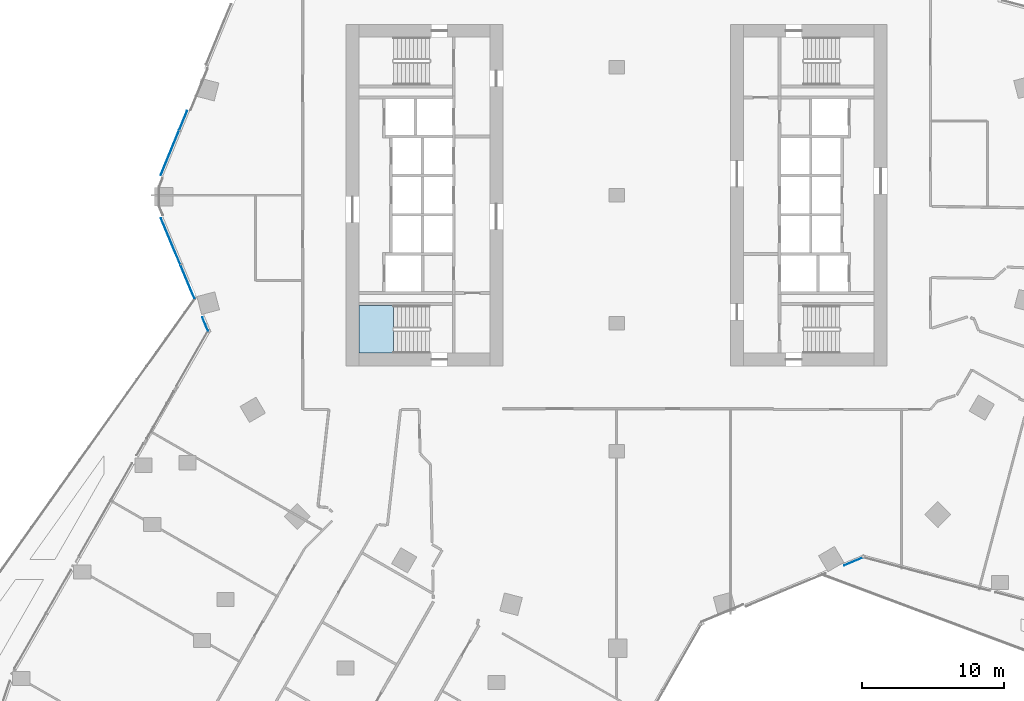
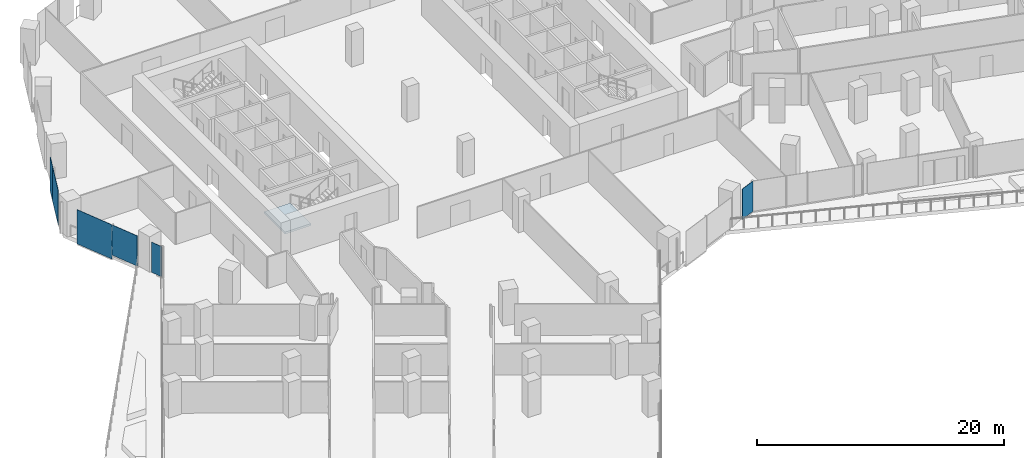
# One storey, part 19 of 34: 6 plates, 1 slab, 4 elements without a shape of their own.
"""IFC4 building model written with IfcOpenShell, lengths in metres."""

from ifc_helpers import new_model, si_unit, direction, frame, origin, origin_2d, place, context, subcontext, project, spatial, polyline, rectangle, outline, extrude, material, layer, layer_set, type_object, element, aggregate, save


model = new_model("IFC4")

# Units and contexts
model_context = context("Model", 3, precision=1e-05, world=origin(), true_north=direction((0.0, 1.0)))
body_context = subcontext(model_context, "Body", "Model", "MODEL_VIEW")
ifc_project = project(units=[si_unit("LENGTHUNIT", "METRE"), si_unit("AREAUNIT", "SQUARE_METRE"), si_unit("VOLUMEUNIT", "CUBIC_METRE"), si_unit("PLANEANGLEUNIT", "RADIAN"), si_unit("MASSUNIT", "GRAM", prefix="KILO")], contexts=[model_context])

# Site, building, storey
site_placement = place(None, origin())
site = spatial("IfcSite", under=ifc_project, at=site_placement, CompositionType="ELEMENT")
building_placement = place(site_placement, origin())
building = spatial("IfcBuilding", under=site, at=building_placement, Name="Orlundy Tower", CompositionType="ELEMENT")
storey_placement = place(building_placement, frame((0.0, 0.0, 102.199951171875)))
storey = spatial("IfcBuildingStorey", under=building, at=storey_placement, Name="L25", CompositionType="ELEMENT", Elevation=102.199951171875)

# Curtain wall, plate
ifc_material_1 = material(Name="Aluminium bronze anodised", Category="aluminium")
curtain_wall_type = type_object("IfcCurtainWallType", Name="CW1 wall", PredefinedType="NOTDEFINED", material=ifc_material_1)
curtain_wall_1_placement = place(storey_placement, origin())
curtain_wall_1 = element("IfcCurtainWall", 1, at=curtain_wall_1_placement, inside=storey, type_object=curtain_wall_type, Name="CW1 run 01", PredefinedType="NOTDEFINED")
ifc_material_2 = material(Name="Tinted glass", Category="glass")
ifc_layer_1 = layer(ifc_material_2, 0.031982421875)
ifc_layer_set_1 = layer_set([ifc_layer_1], Name="CW1 glass panel 32")
plate_type = type_object("IfcPlateType", Name="CW1 glass panel 32", PredefinedType="CURTAIN_PANEL", material=ifc_layer_set_1)
plate_1_placement = place(storey_placement, frame((16.6669921875, -25.728271484375, 0.1201171875), z_axis=(0.0, 0.0, 1.0), x_axis=(-0.922759105019, -0.385377262048, 0.0)))
plate_1 = element("IfcPlate", 2, at=plate_1_placement, type_object=plate_type, Name="CW1 panel", PredefinedType="CURTAIN_PANEL", context=body_context, shape_type="SweptSolid", body=[
    extrude(rectangle(XDim=1.445068359375, YDim=0.031982421875, at=origin_2d()), origin(), (0.0, 0.0, 1.0), 2.97998046875),
])
aggregate(curtain_wall_1, [plate_1])

# Curtain wall, plates
curtain_wall_2_placement = place(storey_placement, origin())
curtain_wall_2 = element("IfcCurtainWall", 3, at=curtain_wall_2_placement, inside=storey, type_object=curtain_wall_type, Name="CW1 run 013", PredefinedType="NOTDEFINED")
plate_2_placement = place(storey_placement, frame((-28.9091796875, -9.05126953125, 0.1201171875), z_axis=(0.0, 0.0, 1.0), x_axis=(-0.385343522299, 0.922773195223, 0.0)))
plate_2 = element("IfcPlate", 4, at=plate_2_placement, type_object=plate_type, Name="CW1 panel", PredefinedType="CURTAIN_PANEL", context=body_context, shape_type="SweptSolid", body=[
    extrude(rectangle(XDim=1.036865234375, YDim=0.031982421875, at=origin_2d()), origin(), (0.0, 0.0, 1.0), 2.97998046875),
])
plate_3_placement = place(storey_placement, frame((-30.1513671875, -6.07666015625, 0.1201171875), z_axis=(0.0, 0.0, 1.0), x_axis=(-0.385343522299, 0.922773195223, 0.0)))
plate_3 = element("IfcPlate", 5, at=plate_3_placement, type_object=plate_type, Name="CW1 panel", PredefinedType="CURTAIN_PANEL", context=body_context, shape_type="SweptSolid", body=[
    extrude(rectangle(XDim=2.542236328125, YDim=0.031982421875, at=origin_2d()), origin(), (0.0, 0.0, 1.0), 2.97998046875),
])
plate_4_placement = place(storey_placement, frame((-31.3388671875, -3.233154296875, -0.27978515625), z_axis=(0.0, 0.0, 1.0), x_axis=(-0.385343522299, 0.922773195223, 0.0)))
plate_4 = element("IfcPlate", 6, at=plate_4_placement, type_object=plate_type, Name="CW1 panel", PredefinedType="CURTAIN_PANEL", context=body_context, shape_type="SweptSolid", body=[
    extrude(rectangle(XDim=3.52099609375, YDim=0.031982421875, at=origin_2d()), origin(), (0.0, 0.0, 1.0), 3.3798828125),
])
aggregate(curtain_wall_2, [plate_2, plate_3, plate_4])

curtain_wall_3_placement = place(storey_placement, origin())
curtain_wall_3 = element("IfcCurtainWall", 7, at=curtain_wall_3_placement, inside=storey, type_object=curtain_wall_type, Name="CW1 run 014", PredefinedType="NOTDEFINED")
plate_5_placement = place(storey_placement, frame((-31.38525390625, 2.982666015625, -0.27978515625), z_axis=(0.0, 0.0, 1.0), x_axis=(0.380004927003, 0.924984462277, 0.0)))
plate_5 = element("IfcPlate", 8, at=plate_5_placement, type_object=plate_type, Name="CW1 panel", PredefinedType="CURTAIN_PANEL", context=body_context, shape_type="SweptSolid", body=[
    extrude(rectangle(XDim=3.373291015625, YDim=0.031982421875, at=origin_2d()), origin(), (0.0, 0.0, 1.0), 3.3798828125),
])
plate_6_placement = place(storey_placement, frame((-30.452880859375, 5.252197265625, -0.27978515625), z_axis=(0.0, 0.0, 1.0), x_axis=(0.380004927003, 0.924984462277, 0.0)))
plate_6 = element("IfcPlate", 9, at=plate_6_placement, type_object=plate_type, Name="CW1 panel", PredefinedType="CURTAIN_PANEL", context=body_context, shape_type="SweptSolid", body=[
    extrude(rectangle(XDim=1.433837890625, YDim=0.031982421875, at=origin_2d()), origin(), (0.0, 0.0, 1.0), 3.3798828125),
])
aggregate(curtain_wall_3, [plate_5, plate_6])

# Stair, slab
ifc_material_3 = material(Name="Concrete C50/60", Category="concrete")
stair_type = type_object("IfcStairType", Name="Exit Stair 20 risers", PredefinedType="HALF_TURN_STAIR", material=ifc_material_3)
stair_placement = place(storey_placement, origin())
stair = element("IfcStair", 10, at=stair_placement, inside=storey, type_object=stair_type, Name="L25 Exit Stair ST-W2", PredefinedType="HALF_TURN_STAIR")
ifc_material_4 = material(Name="Concrete C50/60", Category="concrete")
ifc_layer_2 = layer(ifc_material_4, 0.199951171875)
ifc_layer_set_2 = layer_set([ifc_layer_2], Name="Exit Stair Landing")
slab_type = type_object("IfcSlabType", Name="Exit Stair Landing", PredefinedType="LANDING", material=ifc_layer_set_2)
slab_placement = place(storey_placement, frame((0.0, 0.0, 1.550048828125)))
slab = element("IfcSlab", 11, at=slab_placement, type_object=slab_type, Name="ST-W2 landing 1", PredefinedType="LANDING", context=body_context, shape_type="SweptSolid", body=[
    extrude(outline(polyline([(-15.659912109375, -7.75), (-18.10009765625, -7.75), (-18.10009765625, -11.10009765625), (-15.659912109375, -11.10009765625), (-15.659912109375, -7.75)])), origin(), (0.0, 0.0, 1.0), 0.199951171875),
])
aggregate(stair, [slab])

save(model, "model.ifc")
